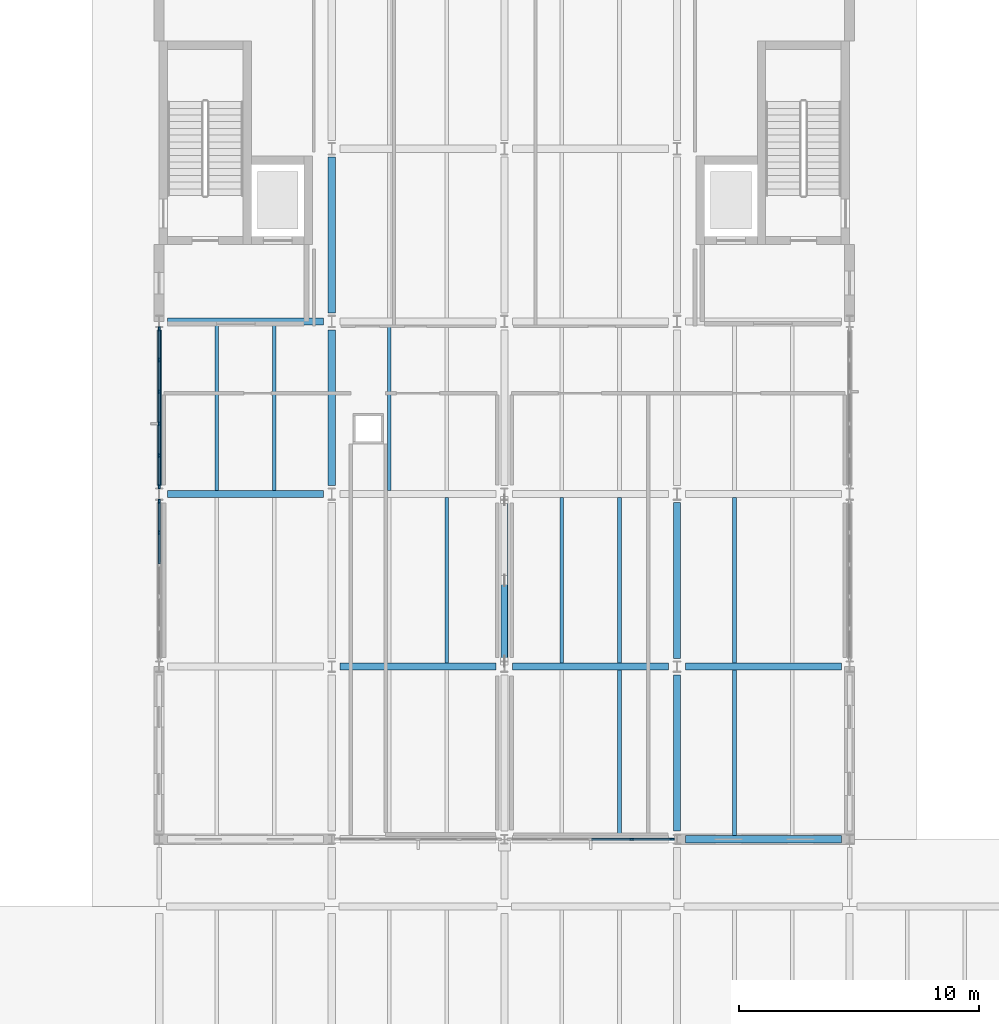
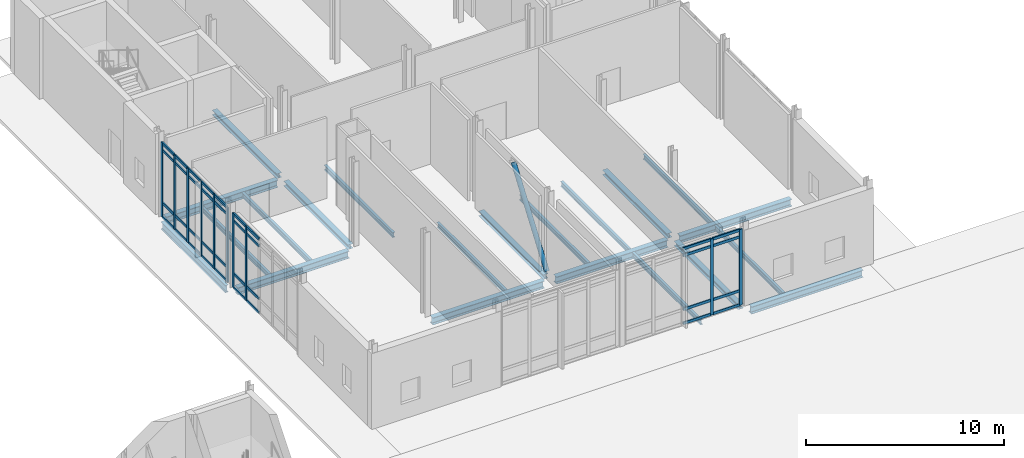
# One storey, part 32 of 89: 47 members, 21 beams, 3 elements without a shape of their own.
"""IFC4 building model written with IfcOpenShell, lengths in metres."""

from ifc_helpers import new_model, si_unit, direction, frame, origin, origin_2d, place, context, subcontext, project, spatial, rectangle, hollow_circle, i_section, extrude, material, layer, layer_set, material_profile, profile_set, type_object, element, aggregate, save


model = new_model("IFC4")

# Units and contexts
model_context = context("Model", 3, precision=1e-05, world=origin(), true_north=direction((0.0, 1.0)))
body_context = subcontext(model_context, "Body", "Model", "MODEL_VIEW")
ifc_project = project(units=[si_unit("LENGTHUNIT", "METRE"), si_unit("AREAUNIT", "SQUARE_METRE"), si_unit("VOLUMEUNIT", "CUBIC_METRE"), si_unit("PLANEANGLEUNIT", "RADIAN"), si_unit("MASSUNIT", "GRAM", prefix="KILO")], contexts=[model_context])

# Site, building, storey
site_placement = place(None, origin())
site = spatial("IfcSite", under=ifc_project, at=site_placement, CompositionType="ELEMENT")
building_placement = place(site_placement, origin())
building = spatial("IfcBuilding", under=site, at=building_placement, Name="Zarrinpeak Specialist Clinic", CompositionType="ELEMENT")
storey_placement = place(building_placement, origin())
storey = spatial("IfcBuildingStorey", under=building, at=storey_placement, Name="L00", CompositionType="ELEMENT", Elevation=0.0)

# Beams
ifc_material_1 = material(Name="Steel S355", Category="steel")
ifc_material_profile_1 = material_profile(ifc_material_1, i_section(OverallWidth=0.300048828125, OverallDepth=0.2900390625, WebThickness=0.008544921875, FlangeThickness=0.013916015625, FilletRadius=0.027099609375, at=origin_2d()), Name="HEA 300")
ifc_profile_set_1 = profile_set([ifc_material_profile_1], Name="Steel S355")
beam_type_1 = type_object("IfcBeamType", Name="BM-HEA300", PredefinedType="BEAM", material=ifc_profile_set_1)
for number, where, z_axis, x_axis, name in (
    (1, (43.199951171875, 96.748046875, -0.39501953125), (0.0, 1.0, 0.0), (-1.0, 0.0, 0.0), "L00 Primary Beam BM-L00-Y0292"),
    (2, (43.199951171875, 103.947998046875, -0.39501953125), (0.0, 1.0, 0.0), (-1.0, 0.0, 0.0), "L00 Primary Beam BM-L00-Y0293"),
    (3, (50.39990234375, 89.548095703125, -0.39501953125), (0.0, 1.0, 0.0), (-1.0, 0.0, 0.0), "L00 Primary Beam BM-L00-Y0308"),
):
    element("IfcBeam", number, at=place(storey_placement, frame(where, z_axis=z_axis, x_axis=x_axis)), inside=storey, type_object=beam_type_1, Name=name, PredefinedType="BEAM", context=body_context, shape_type="SweptSolid", body=[
        extrude(i_section(OverallWidth=0.300048828125, OverallDepth=0.2900390625, WebThickness=0.008544921875, FlangeThickness=0.013916015625, FilletRadius=0.027099609375, at=origin_2d()), origin(), (0.0, 0.0, 1.0), 6.50390625),
    ])
beam_1_placement = place(storey_placement, frame((57.60009765625, 82.347900390625, -0.39501953125), z_axis=(0.0, 1.0, 0.0), x_axis=(-1.0, 0.0, 0.0)))
element("IfcBeam", 4, at=beam_1_placement, inside=storey, type_object=beam_type_1, Name="L00 Primary Beam BM-L00-Y0322", PredefinedType="BEAM", context=body_context, shape_type="SweptSolid", body=[
    extrude(i_section(OverallWidth=0.300048828125, OverallDepth=0.2900390625, WebThickness=0.008544921875, FlangeThickness=0.013916015625, FilletRadius=0.027099609375, at=origin_2d()), origin(), (0.0, 0.0, 1.0), 6.504150390625),
])
beam_2_placement = place(storey_placement, frame((57.60009765625, 89.548095703125, -0.39501953125), z_axis=(0.0, 1.0, 0.0), x_axis=(-1.0, 0.0, 0.0)))
element("IfcBeam", 5, at=beam_2_placement, inside=storey, type_object=beam_type_1, Name="L00 Primary Beam BM-L00-Y0323", PredefinedType="BEAM", context=body_context, shape_type="SweptSolid", body=[
    extrude(i_section(OverallWidth=0.300048828125, OverallDepth=0.2900390625, WebThickness=0.008544921875, FlangeThickness=0.013916015625, FilletRadius=0.027099609375, at=origin_2d()), origin(), (0.0, 0.0, 1.0), 6.50390625),
])
ifc_material_profile_2 = material_profile(ifc_material_1, i_section(OverallWidth=0.300048828125, OverallDepth=0.43994140625, WebThickness=0.011474609375, FlangeThickness=0.02099609375, FilletRadius=0.027099609375, at=origin_2d()), Name="HEA 450")
ifc_profile_set_2 = profile_set([ifc_material_profile_2], Name="Steel S355")
beam_type_2 = type_object("IfcBeamType", Name="BM-HEA450", PredefinedType="BEAM", material=ifc_profile_set_2)
for number, where, z_axis, x_axis, name in (
    (6, (57.947998046875, 82.0, -0.469970703125), (1.0, 0.0, 0.0), (0.0, 1.0, 0.0), "L00 Primary Floor Girder BM-L00-X0192"),
    (7, (43.548095703125, 89.199951171875, -0.469970703125), (1.0, 0.0, 0.0), (0.0, 1.0, 0.0), "L00 Primary Floor Girder BM-L00-X0194"),
    (8, (50.748046875, 89.199951171875, -0.469970703125), (1.0, 0.0, 0.0), (0.0, 1.0, 0.0), "L00 Primary Floor Girder BM-L00-X0195"),
    (9, (57.947998046875, 89.199951171875, -0.469970703125), (1.0, 0.0, 0.0), (0.0, 1.0, 0.0), "L00 Primary Floor Girder BM-L00-X0196"),
):
    element("IfcBeam", number, at=place(storey_placement, frame(where, z_axis=z_axis, x_axis=x_axis)), inside=storey, type_object=beam_type_2, Name=name, PredefinedType="BEAM", context=body_context, shape_type="SweptSolid", body=[
        extrude(i_section(OverallWidth=0.300048828125, OverallDepth=0.43994140625, WebThickness=0.011474609375, FlangeThickness=0.02099609375, FilletRadius=0.027099609375, at=origin_2d()), origin(), (0.0, 0.0, 1.0), 6.50390625),
    ])
for number, where, z_axis, x_axis, name in (
    (10, (36.347900390625, 96.39990234375, -0.469970703125), (1.0, 0.0, 0.0), (0.0, 1.0, 0.0), "L00 Primary Floor Girder BM-L00-X0197"),
    (11, (36.347900390625, 103.60009765625, -0.469970703125), (1.0, 0.0, 0.0), (0.0, 1.0, 0.0), "L00 Primary Floor Girder BM-L00-X0201"),
):
    element("IfcBeam", number, at=place(storey_placement, frame(where, z_axis=z_axis, x_axis=x_axis)), inside=storey, type_object=beam_type_2, Name=name, PredefinedType="BEAM", context=body_context, shape_type="SweptSolid", body=[
        extrude(i_section(OverallWidth=0.300048828125, OverallDepth=0.43994140625, WebThickness=0.011474609375, FlangeThickness=0.02099609375, FilletRadius=0.027099609375, at=origin_2d()), origin(), (0.0, 0.0, 1.0), 6.504150390625),
    ])
ifc_material_profile_3 = material_profile(ifc_material_1, i_section(OverallWidth=0.14990234375, OverallDepth=0.300048828125, WebThickness=0.007080078125, FlangeThickness=0.0107421875, FilletRadius=0.014892578125, at=origin_2d()), Name="IPE 300")
ifc_profile_set_3 = profile_set([ifc_material_profile_3], Name="Steel S355")
beam_type_3 = type_object("IfcBeamType", Name="BM-JST300", PredefinedType="JOIST", material=ifc_profile_set_3)
for number, where, z_axis, x_axis, name in (
    (12, (38.39990234375, 96.548095703125, -0.39990234375), (0.0, 1.0, 0.0), (-1.0, 0.0, 0.0), "L00 Composite Floor Joist JST-L00-0576"),
    (13, (40.800048828125, 96.548095703125, -0.39990234375), (0.0, 1.0, 0.0), (-1.0, 0.0, 0.0), "L00 Composite Floor Joist JST-L00-0577"),
):
    element("IfcBeam", number, at=place(storey_placement, frame(where, z_axis=z_axis, x_axis=x_axis)), inside=storey, type_object=beam_type_3, Name=name, PredefinedType="JOIST", context=body_context, shape_type="SweptSolid", body=[
        extrude(i_section(OverallWidth=0.14990234375, OverallDepth=0.300048828125, WebThickness=0.007080078125, FlangeThickness=0.0107421875, FilletRadius=0.014892578125, at=origin_2d()), origin(), (0.0, 0.0, 1.0), 6.90380859375),
    ])
beam_3_placement = place(storey_placement, frame((48.0, 89.347900390625, -0.39990234375), z_axis=(0.0, 1.0, 0.0), x_axis=(-1.0, 0.0, 0.0)))
element("IfcBeam", 14, at=beam_3_placement, inside=storey, type_object=beam_type_3, Name="L00 Composite Floor Joist JST-L00-0581", PredefinedType="JOIST", context=body_context, shape_type="SweptSolid", body=[
    extrude(i_section(OverallWidth=0.14990234375, OverallDepth=0.300048828125, WebThickness=0.007080078125, FlangeThickness=0.0107421875, FilletRadius=0.014892578125, at=origin_2d()), origin(), (0.0, 0.0, 1.0), 6.904052734375),
])
beam_4_placement = place(storey_placement, frame((45.60009765625, 96.548095703125, -0.39990234375), z_axis=(0.0, 1.0, 0.0), x_axis=(-1.0, 0.0, 0.0)))
element("IfcBeam", 15, at=beam_4_placement, inside=storey, type_object=beam_type_3, Name="L00 Composite Floor Joist JST-L00-0582", PredefinedType="JOIST", context=body_context, shape_type="SweptSolid", body=[
    extrude(i_section(OverallWidth=0.14990234375, OverallDepth=0.300048828125, WebThickness=0.007080078125, FlangeThickness=0.0107421875, FilletRadius=0.014892578125, at=origin_2d()), origin(), (0.0, 0.0, 1.0), 6.90380859375),
])
for number, where, z_axis, x_axis, name in (
    (16, (55.199951171875, 82.14794921875, -0.39990234375), (0.0, 1.0, 0.0), (-1.0, 0.0, 0.0), "L00 Composite Floor Joist JST-L00-0589"),
    (17, (52.800048828125, 89.347900390625, -0.39990234375), (0.0, 1.0, 0.0), (-1.0, 0.0, 0.0), "L00 Composite Floor Joist JST-L00-0590"),
    (18, (55.199951171875, 89.347900390625, -0.39990234375), (0.0, 1.0, 0.0), (-1.0, 0.0, 0.0), "L00 Composite Floor Joist JST-L00-0591"),
    (19, (60.0, 82.14794921875, -0.39990234375), (0.0, 1.0, 0.0), (-1.0, 0.0, 0.0), "L00 Composite Floor Joist JST-L00-0598"),
    (20, (60.0, 89.347900390625, -0.39990234375), (0.0, 1.0, 0.0), (-1.0, 0.0, 0.0), "L00 Composite Floor Joist JST-L00-0600"),
):
    element("IfcBeam", number, at=place(storey_placement, frame(where, z_axis=z_axis, x_axis=x_axis)), inside=storey, type_object=beam_type_3, Name=name, PredefinedType="JOIST", context=body_context, shape_type="SweptSolid", body=[
        extrude(i_section(OverallWidth=0.14990234375, OverallDepth=0.300048828125, WebThickness=0.007080078125, FlangeThickness=0.0107421875, FilletRadius=0.014892578125, at=origin_2d()), origin(), (0.0, 0.0, 1.0), 6.904052734375),
    ])
ifc_material_profile_4 = material_profile(ifc_material_1, i_section(OverallWidth=0.18994140625, OverallDepth=0.449951171875, WebThickness=0.009521484375, FlangeThickness=0.0146484375, FilletRadius=0.02099609375, at=origin_2d()), Name="IPE 450")
ifc_profile_set_4 = profile_set([ifc_material_profile_4], Name="Steel S355")
beam_type_4 = type_object("IfcBeamType", Name="BM-SP450", PredefinedType="SPANDREL", material=ifc_profile_set_4)
beam_5_placement = place(storey_placement, frame((36.0, 96.748046875, -0.47509765625), z_axis=(0.0, 1.0, 0.0), x_axis=(-1.0, 0.0, 0.0)))
element("IfcBeam", 21, at=beam_5_placement, inside=storey, type_object=beam_type_4, Name="L00 Perimeter Spandrel Beam BM-L00-Y0277", PredefinedType="SPANDREL", context=body_context, shape_type="SweptSolid", body=[
    extrude(i_section(OverallWidth=0.18994140625, OverallDepth=0.449951171875, WebThickness=0.009521484375, FlangeThickness=0.0146484375, FilletRadius=0.02099609375, at=origin_2d()), origin(), (0.0, 0.0, 1.0), 6.50390625),
])

# Curtain wall, members
ifc_material_2 = material(Name="Anodised Aluminium Alloy 6063-T6", Category="aluminium")
ifc_layer_1 = layer(ifc_material_2, 0.179931640625)
ifc_layer_set_1 = layer_set([ifc_layer_1], Name="Anodised Aluminium Alloy 6063-T6")
curtain_wall_type_1 = type_object("IfcCurtainWallType", Name="CW-COURT", PredefinedType="NOTDEFINED", material=ifc_layer_set_1)
curtain_wall_1_placement = place(storey_placement, origin())
curtain_wall_1 = element("IfcCurtainWall", 22, at=curtain_wall_1_placement, inside=storey, type_object=curtain_wall_type_1, Name="L00 V6 Unitised Curtain Wall CW-L00-V6-130", PredefinedType="NOTDEFINED")
ifc_material_profile_5 = material_profile(ifc_material_2, rectangle(XDim=0.074951171875, YDim=0.179931640625, at=origin_2d()), Name="ALU 75x180")
ifc_profile_set_5 = profile_set([ifc_material_profile_5], Name="Anodised Aluminium Alloy 6063-T6")
member_type_1 = type_object("IfcMemberType", Name="CWM-75", PredefinedType="MULLION", material=ifc_profile_set_5)
member_1_placement = place(storey_placement, frame((55.71240234375, 82.0, 0.0), z_axis=(0.0, 0.0, 1.0), x_axis=(0.0, 1.0, 0.0)))
member_1 = element("IfcMember", 23, at=member_1_placement, type_object=member_type_1, Name="CW-01 mullion 4", PredefinedType="MULLION", context=body_context, shape_type="SweptSolid", body=[
    extrude(rectangle(XDim=0.074951171875, YDim=0.179931640625, at=origin_2d()), origin(), (0.0, 0.0, 1.0), 4.6650390625),
])
member_2_placement = place(storey_placement, frame((57.387451171875, 82.0, 0.0), z_axis=(0.0, 0.0, 1.0), x_axis=(0.0, 1.0, 0.0)))
member_2 = element("IfcMember", 24, at=member_2_placement, type_object=member_type_1, Name="CW-01 mullion 5", PredefinedType="MULLION", context=body_context, shape_type="SweptSolid", body=[
    extrude(rectangle(XDim=0.074951171875, YDim=0.179931640625, at=origin_2d()), origin(), (0.0, 0.0, 1.0), 4.6650390625),
])

ifc_layer_2 = layer(ifc_material_2, 0.1650390625)
ifc_layer_set_2 = layer_set([ifc_layer_2], Name="Anodised Aluminium Alloy 6063-T6")
curtain_wall_type_2 = type_object("IfcCurtainWallType", Name="CW-CLINIC", PredefinedType="NOTDEFINED", material=ifc_layer_set_2)
curtain_wall_2_placement = place(storey_placement, origin())
curtain_wall_2 = element("IfcCurtainWall", 25, at=curtain_wall_2_placement, inside=storey, type_object=curtain_wall_type_2, Name="L00 V6 Unitised Curtain Wall CW-L00-V6-131", PredefinedType="NOTDEFINED")
member_3_placement = place(storey_placement, frame((36.0, 96.08740234375, 0.0), z_axis=(0.0, 0.0, 1.0), x_axis=(1.0, 0.0, 0.0)))
member_3 = element("IfcMember", 26, at=member_3_placement, type_object=member_type_1, Name="CW-03 mullion 1", PredefinedType="MULLION", context=body_context, shape_type="SweptSolid", body=[
    extrude(rectangle(XDim=0.074951171875, YDim=0.179931640625, at=origin_2d()), origin(), (0.0, 0.0, 1.0), 4.594970703125),
])
member_4_placement = place(storey_placement, frame((36.0, 94.7900390625, 0.0), z_axis=(0.0, 0.0, 1.0), x_axis=(1.0, 0.0, 0.0)))
member_4 = element("IfcMember", 27, at=member_4_placement, type_object=member_type_1, Name="CW-03 mullion 2", PredefinedType="MULLION", context=body_context, shape_type="SweptSolid", body=[
    extrude(rectangle(XDim=0.074951171875, YDim=0.179931640625, at=origin_2d()), origin(), (0.0, 0.0, 1.0), 4.594970703125),
])

curtain_wall_3_placement = place(storey_placement, origin())
curtain_wall_3 = element("IfcCurtainWall", 28, at=curtain_wall_3_placement, inside=storey, type_object=curtain_wall_type_2, Name="L00 V6 Unitised Curtain Wall CW-L00-V6-132", PredefinedType="NOTDEFINED")
member_5_placement = place(storey_placement, frame((36.0, 103.28759765625, 0.0), z_axis=(0.0, 0.0, 1.0), x_axis=(1.0, 0.0, 0.0)))
member_5 = element("IfcMember", 29, at=member_5_placement, type_object=member_type_1, Name="CW-03 mullion 1", PredefinedType="MULLION", context=body_context, shape_type="SweptSolid", body=[
    extrude(rectangle(XDim=0.074951171875, YDim=0.179931640625, at=origin_2d()), origin(), (0.0, 0.0, 1.0), 4.594970703125),
])
member_6_placement = place(storey_placement, frame((36.0, 101.9951171875, 0.0), z_axis=(0.0, 0.0, 1.0), x_axis=(1.0, 0.0, 0.0)))
member_6 = element("IfcMember", 30, at=member_6_placement, type_object=member_type_1, Name="CW-03 mullion 2", PredefinedType="MULLION", context=body_context, shape_type="SweptSolid", body=[
    extrude(rectangle(XDim=0.074951171875, YDim=0.179931640625, at=origin_2d()), origin(), (0.0, 0.0, 1.0), 4.594970703125),
])
member_7_placement = place(storey_placement, frame((36.0, 100.6650390625, 0.0), z_axis=(0.0, 0.0, 1.0), x_axis=(1.0, 0.0, 0.0)))
member_7 = element("IfcMember", 31, at=member_7_placement, type_object=member_type_1, Name="CW-03 mullion 3", PredefinedType="MULLION", context=body_context, shape_type="SweptSolid", body=[
    extrude(rectangle(XDim=0.074951171875, YDim=0.179931640625, at=origin_2d()), origin(), (0.0, 0.0, 1.0), 4.594970703125),
])
member_8_placement = place(storey_placement, frame((36.0, 99.3349609375, 0.0), z_axis=(0.0, 0.0, 1.0), x_axis=(1.0, 0.0, 0.0)))
member_8 = element("IfcMember", 32, at=member_8_placement, type_object=member_type_1, Name="CW-03 mullion 4", PredefinedType="MULLION", context=body_context, shape_type="SweptSolid", body=[
    extrude(rectangle(XDim=0.074951171875, YDim=0.179931640625, at=origin_2d()), origin(), (0.0, 0.0, 1.0), 4.594970703125),
])
member_9_placement = place(storey_placement, frame((36.0, 98.0048828125, 0.0), z_axis=(0.0, 0.0, 1.0), x_axis=(1.0, 0.0, 0.0)))
member_9 = element("IfcMember", 33, at=member_9_placement, type_object=member_type_1, Name="CW-03 mullion 5", PredefinedType="MULLION", context=body_context, shape_type="SweptSolid", body=[
    extrude(rectangle(XDim=0.074951171875, YDim=0.179931640625, at=origin_2d()), origin(), (0.0, 0.0, 1.0), 4.594970703125),
])
member_10_placement = place(storey_placement, frame((36.0, 96.71240234375, 0.0), z_axis=(0.0, 0.0, 1.0), x_axis=(1.0, 0.0, 0.0)))
member_10 = element("IfcMember", 34, at=member_10_placement, type_object=member_type_1, Name="CW-03 mullion 6", PredefinedType="MULLION", context=body_context, shape_type="SweptSolid", body=[
    extrude(rectangle(XDim=0.074951171875, YDim=0.179931640625, at=origin_2d()), origin(), (0.0, 0.0, 1.0), 4.594970703125),
])

# Member
ifc_material_profile_6 = material_profile(ifc_material_2, rectangle(XDim=0.074951171875, YDim=0.159912109375, at=origin_2d()), Name="ALU 75x160")
ifc_profile_set_6 = profile_set([ifc_material_profile_6], Name="Anodised Aluminium Alloy 6063-T6")
member_type_2 = type_object("IfcMemberType", Name="CWT-75", PredefinedType="USERDEFINED", material=ifc_profile_set_6)
member_11_placement = place(storey_placement, frame((54.03759765625, 82.0, 0.03759765625), z_axis=(1.0, 0.0, 0.0), x_axis=(0.0, 1.0, 0.0)))
member_11 = element("IfcMember", 35, at=member_11_placement, type_object=member_type_2, Name="CW-01 transom 3.1", ObjectType="TRANSOM", PredefinedType="USERDEFINED", context=body_context, shape_type="SweptSolid", body=[
    extrude(rectangle(XDim=0.074951171875, YDim=0.159912109375, at=origin_2d()), origin(), (0.0, 0.0, 1.0), 1.637451171875),
])

member_12_placement = place(storey_placement, frame((54.03759765625, 82.0, 0.89990234375), z_axis=(1.0, 0.0, 0.0), x_axis=(0.0, 1.0, 0.0)))
member_12 = element("IfcMember", 36, at=member_12_placement, type_object=member_type_2, Name="CW-01 transom 3.2", ObjectType="TRANSOM", PredefinedType="USERDEFINED", context=body_context, shape_type="SweptSolid", body=[
    extrude(rectangle(XDim=0.074951171875, YDim=0.159912109375, at=origin_2d()), origin(), (0.0, 0.0, 1.0), 1.637451171875),
])

member_13_placement = place(storey_placement, frame((54.03759765625, 82.0, 4.215087890625), z_axis=(1.0, 0.0, 0.0), x_axis=(0.0, 1.0, 0.0)))
member_13 = element("IfcMember", 37, at=member_13_placement, type_object=member_type_2, Name="CW-01 transom 3.3", ObjectType="TRANSOM", PredefinedType="USERDEFINED", context=body_context, shape_type="SweptSolid", body=[
    extrude(rectangle(XDim=0.074951171875, YDim=0.159912109375, at=origin_2d()), origin(), (0.0, 0.0, 1.0), 1.637451171875),
])

member_14_placement = place(storey_placement, frame((54.03759765625, 82.0, 4.62744140625), z_axis=(1.0, 0.0, 0.0), x_axis=(0.0, 1.0, 0.0)))
member_14 = element("IfcMember", 38, at=member_14_placement, type_object=member_type_2, Name="CW-01 transom 3.4", ObjectType="TRANSOM", PredefinedType="USERDEFINED", context=body_context, shape_type="SweptSolid", body=[
    extrude(rectangle(XDim=0.074951171875, YDim=0.159912109375, at=origin_2d()), origin(), (0.0, 0.0, 1.0), 1.637451171875),
])

member_15_placement = place(storey_placement, frame((55.75, 82.0, 0.03759765625), z_axis=(1.0, 0.0, 0.0), x_axis=(0.0, 1.0, 0.0)))
member_15 = element("IfcMember", 39, at=member_15_placement, type_object=member_type_2, Name="CW-01 transom 4.1", ObjectType="TRANSOM", PredefinedType="USERDEFINED", context=body_context, shape_type="SweptSolid", body=[
    extrude(rectangle(XDim=0.074951171875, YDim=0.159912109375, at=origin_2d()), origin(), (0.0, 0.0, 1.0), 1.60009765625),
])

member_16_placement = place(storey_placement, frame((55.75, 82.0, 0.89990234375), z_axis=(1.0, 0.0, 0.0), x_axis=(0.0, 1.0, 0.0)))
member_16 = element("IfcMember", 40, at=member_16_placement, type_object=member_type_2, Name="CW-01 transom 4.2", ObjectType="TRANSOM", PredefinedType="USERDEFINED", context=body_context, shape_type="SweptSolid", body=[
    extrude(rectangle(XDim=0.074951171875, YDim=0.159912109375, at=origin_2d()), origin(), (0.0, 0.0, 1.0), 1.60009765625),
])

member_17_placement = place(storey_placement, frame((55.75, 82.0, 4.215087890625), z_axis=(1.0, 0.0, 0.0), x_axis=(0.0, 1.0, 0.0)))
member_17 = element("IfcMember", 41, at=member_17_placement, type_object=member_type_2, Name="CW-01 transom 4.3", ObjectType="TRANSOM", PredefinedType="USERDEFINED", context=body_context, shape_type="SweptSolid", body=[
    extrude(rectangle(XDim=0.074951171875, YDim=0.159912109375, at=origin_2d()), origin(), (0.0, 0.0, 1.0), 1.60009765625),
])

member_18_placement = place(storey_placement, frame((55.75, 82.0, 4.62744140625), z_axis=(1.0, 0.0, 0.0), x_axis=(0.0, 1.0, 0.0)))
member_18 = element("IfcMember", 42, at=member_18_placement, type_object=member_type_2, Name="CW-01 transom 4.4", ObjectType="TRANSOM", PredefinedType="USERDEFINED", context=body_context, shape_type="SweptSolid", body=[
    extrude(rectangle(XDim=0.074951171875, YDim=0.159912109375, at=origin_2d()), origin(), (0.0, 0.0, 1.0), 1.60009765625),
])

aggregate(curtain_wall_1, [member_1, member_2, member_11, member_12, member_13, member_14, member_15, member_16, member_17, member_18])

member_19_placement = place(storey_placement, frame((36.0, 96.050048828125, 0.03759765625), z_axis=(0.0, -1.0, 0.0), x_axis=(1.0, 0.0, 0.0)))
member_19 = element("IfcMember", 43, at=member_19_placement, type_object=member_type_2, Name="CW-03 transom 1.1", ObjectType="TRANSOM", PredefinedType="USERDEFINED", context=body_context, shape_type="SweptSolid", body=[
    extrude(rectangle(XDim=0.074951171875, YDim=0.159912109375, at=origin_2d()), origin(), (0.0, 0.0, 1.0), 1.22265625),
])

member_20_placement = place(storey_placement, frame((36.0, 96.050048828125, 0.89990234375), z_axis=(0.0, -1.0, 0.0), x_axis=(1.0, 0.0, 0.0)))
member_20 = element("IfcMember", 44, at=member_20_placement, type_object=member_type_2, Name="CW-03 transom 1.2", ObjectType="TRANSOM", PredefinedType="USERDEFINED", context=body_context, shape_type="SweptSolid", body=[
    extrude(rectangle(XDim=0.074951171875, YDim=0.159912109375, at=origin_2d()), origin(), (0.0, 0.0, 1.0), 1.22265625),
])

member_21_placement = place(storey_placement, frame((36.0, 96.050048828125, 4.14501953125), z_axis=(0.0, -1.0, 0.0), x_axis=(1.0, 0.0, 0.0)))
member_21 = element("IfcMember", 45, at=member_21_placement, type_object=member_type_2, Name="CW-03 transom 1.3", ObjectType="TRANSOM", PredefinedType="USERDEFINED", context=body_context, shape_type="SweptSolid", body=[
    extrude(rectangle(XDim=0.074951171875, YDim=0.159912109375, at=origin_2d()), origin(), (0.0, 0.0, 1.0), 1.22265625),
])

member_22_placement = place(storey_placement, frame((36.0, 96.050048828125, 4.5576171875), z_axis=(0.0, -1.0, 0.0), x_axis=(1.0, 0.0, 0.0)))
member_22 = element("IfcMember", 46, at=member_22_placement, type_object=member_type_2, Name="CW-03 transom 1.4", ObjectType="TRANSOM", PredefinedType="USERDEFINED", context=body_context, shape_type="SweptSolid", body=[
    extrude(rectangle(XDim=0.074951171875, YDim=0.159912109375, at=origin_2d()), origin(), (0.0, 0.0, 1.0), 1.22265625),
])

member_23_placement = place(storey_placement, frame((36.0, 94.75244140625, 0.03759765625), z_axis=(0.0, -1.0, 0.0), x_axis=(1.0, 0.0, 0.0)))
member_23 = element("IfcMember", 47, at=member_23_placement, type_object=member_type_2, Name="CW-03 transom 2.1", ObjectType="TRANSOM", PredefinedType="USERDEFINED", context=body_context, shape_type="SweptSolid", body=[
    extrude(rectangle(XDim=0.074951171875, YDim=0.159912109375, at=origin_2d()), origin(), (0.0, 0.0, 1.0), 1.260009765625),
])

member_24_placement = place(storey_placement, frame((36.0, 94.75244140625, 0.89990234375), z_axis=(0.0, -1.0, 0.0), x_axis=(1.0, 0.0, 0.0)))
member_24 = element("IfcMember", 48, at=member_24_placement, type_object=member_type_2, Name="CW-03 transom 2.2", ObjectType="TRANSOM", PredefinedType="USERDEFINED", context=body_context, shape_type="SweptSolid", body=[
    extrude(rectangle(XDim=0.074951171875, YDim=0.159912109375, at=origin_2d()), origin(), (0.0, 0.0, 1.0), 1.260009765625),
])

member_25_placement = place(storey_placement, frame((36.0, 94.75244140625, 4.14501953125), z_axis=(0.0, -1.0, 0.0), x_axis=(1.0, 0.0, 0.0)))
member_25 = element("IfcMember", 49, at=member_25_placement, type_object=member_type_2, Name="CW-03 transom 2.3", ObjectType="TRANSOM", PredefinedType="USERDEFINED", context=body_context, shape_type="SweptSolid", body=[
    extrude(rectangle(XDim=0.074951171875, YDim=0.159912109375, at=origin_2d()), origin(), (0.0, 0.0, 1.0), 1.260009765625),
])

member_26_placement = place(storey_placement, frame((36.0, 94.75244140625, 4.5576171875), z_axis=(0.0, -1.0, 0.0), x_axis=(1.0, 0.0, 0.0)))
member_26 = element("IfcMember", 50, at=member_26_placement, type_object=member_type_2, Name="CW-03 transom 2.4", ObjectType="TRANSOM", PredefinedType="USERDEFINED", context=body_context, shape_type="SweptSolid", body=[
    extrude(rectangle(XDim=0.074951171875, YDim=0.159912109375, at=origin_2d()), origin(), (0.0, 0.0, 1.0), 1.260009765625),
])

aggregate(curtain_wall_2, [member_3, member_4, member_19, member_20, member_21, member_22, member_23, member_24, member_25, member_26])

member_27_placement = place(storey_placement, frame((36.0, 103.25, 0.03759765625), z_axis=(0.0, -1.0, 0.0), x_axis=(1.0, 0.0, 0.0)))
member_27 = element("IfcMember", 51, at=member_27_placement, type_object=member_type_2, Name="CW-03 transom 1.1", ObjectType="TRANSOM", PredefinedType="USERDEFINED", context=body_context, shape_type="SweptSolid", body=[
    extrude(rectangle(XDim=0.074951171875, YDim=0.159912109375, at=origin_2d()), origin(), (0.0, 0.0, 1.0), 1.217529296875),
])

member_28_placement = place(storey_placement, frame((36.0, 103.25, 0.89990234375), z_axis=(0.0, -1.0, 0.0), x_axis=(1.0, 0.0, 0.0)))
member_28 = element("IfcMember", 52, at=member_28_placement, type_object=member_type_2, Name="CW-03 transom 1.2", ObjectType="TRANSOM", PredefinedType="USERDEFINED", context=body_context, shape_type="SweptSolid", body=[
    extrude(rectangle(XDim=0.074951171875, YDim=0.159912109375, at=origin_2d()), origin(), (0.0, 0.0, 1.0), 1.217529296875),
])

member_29_placement = place(storey_placement, frame((36.0, 103.25, 4.14501953125), z_axis=(0.0, -1.0, 0.0), x_axis=(1.0, 0.0, 0.0)))
member_29 = element("IfcMember", 53, at=member_29_placement, type_object=member_type_2, Name="CW-03 transom 1.3", ObjectType="TRANSOM", PredefinedType="USERDEFINED", context=body_context, shape_type="SweptSolid", body=[
    extrude(rectangle(XDim=0.074951171875, YDim=0.159912109375, at=origin_2d()), origin(), (0.0, 0.0, 1.0), 1.217529296875),
])

member_30_placement = place(storey_placement, frame((36.0, 103.25, 4.5576171875), z_axis=(0.0, -1.0, 0.0), x_axis=(1.0, 0.0, 0.0)))
member_30 = element("IfcMember", 54, at=member_30_placement, type_object=member_type_2, Name="CW-03 transom 1.4", ObjectType="TRANSOM", PredefinedType="USERDEFINED", context=body_context, shape_type="SweptSolid", body=[
    extrude(rectangle(XDim=0.074951171875, YDim=0.159912109375, at=origin_2d()), origin(), (0.0, 0.0, 1.0), 1.217529296875),
])

member_31_placement = place(storey_placement, frame((36.0, 101.95751953125, 0.03759765625), z_axis=(0.0, -1.0, 0.0), x_axis=(1.0, 0.0, 0.0)))
member_31 = element("IfcMember", 55, at=member_31_placement, type_object=member_type_2, Name="CW-03 transom 2.1", ObjectType="TRANSOM", PredefinedType="USERDEFINED", context=body_context, shape_type="SweptSolid", body=[
    extrude(rectangle(XDim=0.074951171875, YDim=0.159912109375, at=origin_2d()), origin(), (0.0, 0.0, 1.0), 1.255126953125),
])

member_32_placement = place(storey_placement, frame((36.0, 101.95751953125, 0.89990234375), z_axis=(0.0, -1.0, 0.0), x_axis=(1.0, 0.0, 0.0)))
member_32 = element("IfcMember", 56, at=member_32_placement, type_object=member_type_2, Name="CW-03 transom 2.2", ObjectType="TRANSOM", PredefinedType="USERDEFINED", context=body_context, shape_type="SweptSolid", body=[
    extrude(rectangle(XDim=0.074951171875, YDim=0.159912109375, at=origin_2d()), origin(), (0.0, 0.0, 1.0), 1.255126953125),
])

member_33_placement = place(storey_placement, frame((36.0, 101.95751953125, 4.14501953125), z_axis=(0.0, -1.0, 0.0), x_axis=(1.0, 0.0, 0.0)))
member_33 = element("IfcMember", 57, at=member_33_placement, type_object=member_type_2, Name="CW-03 transom 2.3", ObjectType="TRANSOM", PredefinedType="USERDEFINED", context=body_context, shape_type="SweptSolid", body=[
    extrude(rectangle(XDim=0.074951171875, YDim=0.159912109375, at=origin_2d()), origin(), (0.0, 0.0, 1.0), 1.255126953125),
])

member_34_placement = place(storey_placement, frame((36.0, 101.95751953125, 4.5576171875), z_axis=(0.0, -1.0, 0.0), x_axis=(1.0, 0.0, 0.0)))
member_34 = element("IfcMember", 58, at=member_34_placement, type_object=member_type_2, Name="CW-03 transom 2.4", ObjectType="TRANSOM", PredefinedType="USERDEFINED", context=body_context, shape_type="SweptSolid", body=[
    extrude(rectangle(XDim=0.074951171875, YDim=0.159912109375, at=origin_2d()), origin(), (0.0, 0.0, 1.0), 1.255126953125),
])

member_35_placement = place(storey_placement, frame((36.0, 100.62744140625, 0.03759765625), z_axis=(0.0, -1.0, 0.0), x_axis=(1.0, 0.0, 0.0)))
member_35 = element("IfcMember", 59, at=member_35_placement, type_object=member_type_2, Name="CW-03 transom 3.1", ObjectType="TRANSOM", PredefinedType="USERDEFINED", context=body_context, shape_type="SweptSolid", body=[
    extrude(rectangle(XDim=0.074951171875, YDim=0.159912109375, at=origin_2d()), origin(), (0.0, 0.0, 1.0), 1.2548828125),
])

member_36_placement = place(storey_placement, frame((36.0, 100.62744140625, 0.89990234375), z_axis=(0.0, -1.0, 0.0), x_axis=(1.0, 0.0, 0.0)))
member_36 = element("IfcMember", 60, at=member_36_placement, type_object=member_type_2, Name="CW-03 transom 3.2", ObjectType="TRANSOM", PredefinedType="USERDEFINED", context=body_context, shape_type="SweptSolid", body=[
    extrude(rectangle(XDim=0.074951171875, YDim=0.159912109375, at=origin_2d()), origin(), (0.0, 0.0, 1.0), 1.2548828125),
])

member_37_placement = place(storey_placement, frame((36.0, 100.62744140625, 4.14501953125), z_axis=(0.0, -1.0, 0.0), x_axis=(1.0, 0.0, 0.0)))
member_37 = element("IfcMember", 61, at=member_37_placement, type_object=member_type_2, Name="CW-03 transom 3.3", ObjectType="TRANSOM", PredefinedType="USERDEFINED", context=body_context, shape_type="SweptSolid", body=[
    extrude(rectangle(XDim=0.074951171875, YDim=0.159912109375, at=origin_2d()), origin(), (0.0, 0.0, 1.0), 1.2548828125),
])

member_38_placement = place(storey_placement, frame((36.0, 100.62744140625, 4.5576171875), z_axis=(0.0, -1.0, 0.0), x_axis=(1.0, 0.0, 0.0)))
member_38 = element("IfcMember", 62, at=member_38_placement, type_object=member_type_2, Name="CW-03 transom 3.4", ObjectType="TRANSOM", PredefinedType="USERDEFINED", context=body_context, shape_type="SweptSolid", body=[
    extrude(rectangle(XDim=0.074951171875, YDim=0.159912109375, at=origin_2d()), origin(), (0.0, 0.0, 1.0), 1.2548828125),
])

member_39_placement = place(storey_placement, frame((36.0, 99.297607421875, 0.03759765625), z_axis=(0.0, -1.0, 0.0), x_axis=(1.0, 0.0, 0.0)))
member_39 = element("IfcMember", 63, at=member_39_placement, type_object=member_type_2, Name="CW-03 transom 4.1", ObjectType="TRANSOM", PredefinedType="USERDEFINED", context=body_context, shape_type="SweptSolid", body=[
    extrude(rectangle(XDim=0.074951171875, YDim=0.159912109375, at=origin_2d()), origin(), (0.0, 0.0, 1.0), 1.255126953125),
])

member_40_placement = place(storey_placement, frame((36.0, 99.297607421875, 0.89990234375), z_axis=(0.0, -1.0, 0.0), x_axis=(1.0, 0.0, 0.0)))
member_40 = element("IfcMember", 64, at=member_40_placement, type_object=member_type_2, Name="CW-03 transom 4.2", ObjectType="TRANSOM", PredefinedType="USERDEFINED", context=body_context, shape_type="SweptSolid", body=[
    extrude(rectangle(XDim=0.074951171875, YDim=0.159912109375, at=origin_2d()), origin(), (0.0, 0.0, 1.0), 1.255126953125),
])

member_41_placement = place(storey_placement, frame((36.0, 99.297607421875, 4.14501953125), z_axis=(0.0, -1.0, 0.0), x_axis=(1.0, 0.0, 0.0)))
member_41 = element("IfcMember", 65, at=member_41_placement, type_object=member_type_2, Name="CW-03 transom 4.3", ObjectType="TRANSOM", PredefinedType="USERDEFINED", context=body_context, shape_type="SweptSolid", body=[
    extrude(rectangle(XDim=0.074951171875, YDim=0.159912109375, at=origin_2d()), origin(), (0.0, 0.0, 1.0), 1.255126953125),
])

member_42_placement = place(storey_placement, frame((36.0, 99.297607421875, 4.5576171875), z_axis=(0.0, -1.0, 0.0), x_axis=(1.0, 0.0, 0.0)))
member_42 = element("IfcMember", 66, at=member_42_placement, type_object=member_type_2, Name="CW-03 transom 4.4", ObjectType="TRANSOM", PredefinedType="USERDEFINED", context=body_context, shape_type="SweptSolid", body=[
    extrude(rectangle(XDim=0.074951171875, YDim=0.159912109375, at=origin_2d()), origin(), (0.0, 0.0, 1.0), 1.255126953125),
])

member_43_placement = place(storey_placement, frame((36.0, 97.967529296875, 0.03759765625), z_axis=(0.0, -1.0, 0.0), x_axis=(1.0, 0.0, 0.0)))
member_43 = element("IfcMember", 67, at=member_43_placement, type_object=member_type_2, Name="CW-03 transom 5.1", ObjectType="TRANSOM", PredefinedType="USERDEFINED", context=body_context, shape_type="SweptSolid", body=[
    extrude(rectangle(XDim=0.074951171875, YDim=0.159912109375, at=origin_2d()), origin(), (0.0, 0.0, 1.0), 1.217529296875),
])

member_44_placement = place(storey_placement, frame((36.0, 97.967529296875, 0.89990234375), z_axis=(0.0, -1.0, 0.0), x_axis=(1.0, 0.0, 0.0)))
member_44 = element("IfcMember", 68, at=member_44_placement, type_object=member_type_2, Name="CW-03 transom 5.2", ObjectType="TRANSOM", PredefinedType="USERDEFINED", context=body_context, shape_type="SweptSolid", body=[
    extrude(rectangle(XDim=0.074951171875, YDim=0.159912109375, at=origin_2d()), origin(), (0.0, 0.0, 1.0), 1.217529296875),
])

member_45_placement = place(storey_placement, frame((36.0, 97.967529296875, 4.14501953125), z_axis=(0.0, -1.0, 0.0), x_axis=(1.0, 0.0, 0.0)))
member_45 = element("IfcMember", 69, at=member_45_placement, type_object=member_type_2, Name="CW-03 transom 5.3", ObjectType="TRANSOM", PredefinedType="USERDEFINED", context=body_context, shape_type="SweptSolid", body=[
    extrude(rectangle(XDim=0.074951171875, YDim=0.159912109375, at=origin_2d()), origin(), (0.0, 0.0, 1.0), 1.217529296875),
])

member_46_placement = place(storey_placement, frame((36.0, 97.967529296875, 4.5576171875), z_axis=(0.0, -1.0, 0.0), x_axis=(1.0, 0.0, 0.0)))
member_46 = element("IfcMember", 70, at=member_46_placement, type_object=member_type_2, Name="CW-03 transom 5.4", ObjectType="TRANSOM", PredefinedType="USERDEFINED", context=body_context, shape_type="SweptSolid", body=[
    extrude(rectangle(XDim=0.074951171875, YDim=0.159912109375, at=origin_2d()), origin(), (0.0, 0.0, 1.0), 1.217529296875),
])

aggregate(curtain_wall_3, [member_5, member_6, member_7, member_8, member_9, member_10, member_27, member_28, member_29, member_30, member_31, member_32, member_33, member_34, member_35, member_36, member_37, member_38, member_39, member_40, member_41, member_42, member_43, member_44, member_45, member_46])

ifc_material_profile_7 = material_profile(ifc_material_1, hollow_circle(Radius=0.136474609375, WallThickness=0.012451171875, at=origin_2d()), Name="CHS 273.0x12.5")
ifc_profile_set_7 = profile_set([ifc_material_profile_7], Name="Steel S355")
member_type_3 = type_object("IfcMemberType", Name="MB-BR273", PredefinedType="BRACE", material=ifc_profile_set_7)
member_47_placement = place(storey_placement, frame((50.39990234375, 89.425048828125, 0.0048828125), z_axis=(0.0, 0.585328218898, 0.810796445578), x_axis=(-1.0, 0.0, 0.0)))
element("IfcMember", 71, at=member_47_placement, inside=storey, type_object=member_type_3, Name="V6 L00 Seismic Concentric Brace CBF-043", PredefinedType="BRACE", context=body_context, shape_type="SweptSolid", body=[
    extrude(hollow_circle(Radius=0.136474609375, WallThickness=0.012451171875, at=origin_2d()), origin(), (0.0, 0.0, 1.0), 5.76611328125),
])

save(model, "model.ifc")
